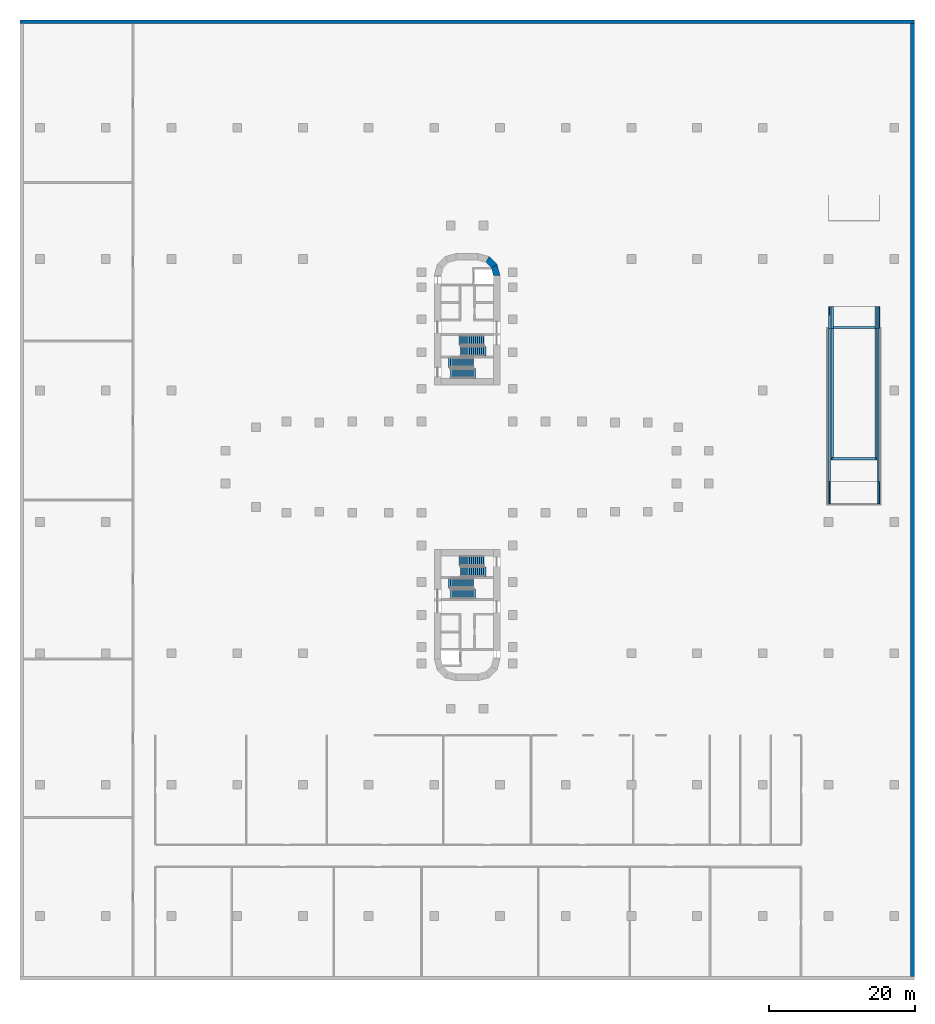
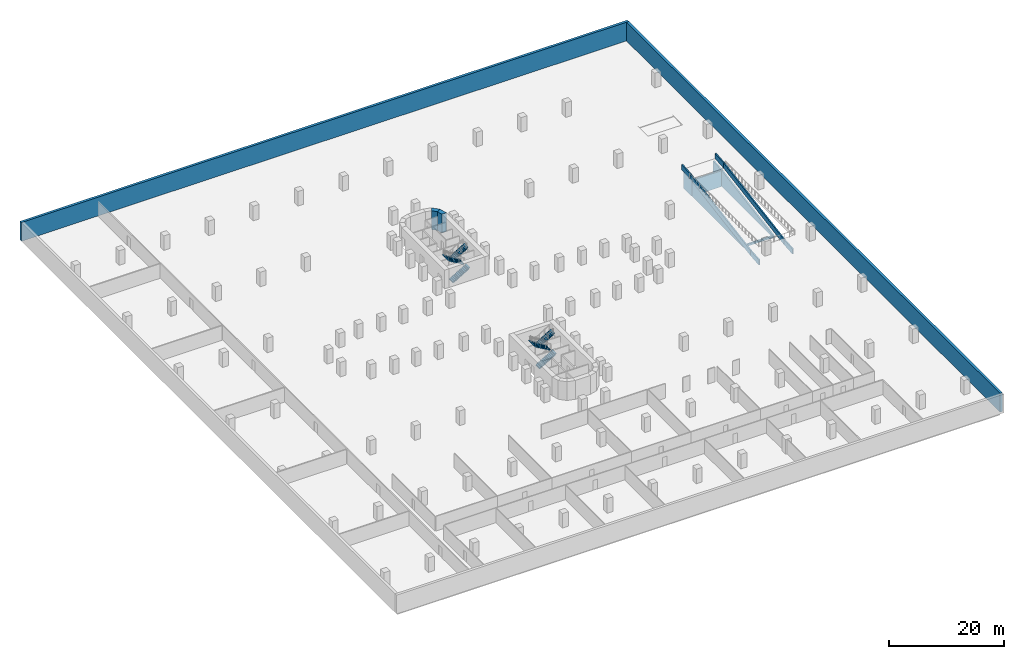
# One storey, part 10 of 11: 16 walls, 8 stair flights, 4 elements without a shape of their own.
"""IFC4 building model written with IfcOpenShell, lengths in metres."""

import ifcopenshell
import ifcopenshell.guid

model = None  # the IFC model being written
_history = None  # IfcOwnerHistory: only IFC2X3 demands one
_inside = {}  # id of a spatial element -> (the spatial element, [elements in it])
_under = {}  # id of a project, library or spatial element -> (it, [spatial elements below it])
_declared = {}  # id of a project -> (the project, [libraries it declares])
_typed = {}  # id of a type object -> (the type object, [elements of that type])
_made_of = {}  # id of a material, layer set ... -> (it, [elements and type objects made of it])


def new_model(schema):
    """Start an empty IFC model of exactly this schema.

    Asked for "IFC4X3", IfcOpenShell would pick the latest addendum, in which some entities
    have other attributes; the version numbers below select the first issue.
    IFC2X3 requires an IfcOwnerHistory on every rooted entity: one is made here for all.
    """
    global model, _history
    if schema == "IFC4X3":
        model = ifcopenshell.file(schema_version=(4, 3, 0, 0))
    else:
        model = ifcopenshell.file(schema=schema)
    _inside.clear()
    _under.clear()
    _declared.clear()
    _typed.clear()
    _made_of.clear()
    _history = None
    if model.schema == "IFC2X3":
        org = make("IfcOrganization", Name="unknown")
        user = make(
            "IfcPersonAndOrganization",
            ThePerson=make("IfcPerson", FamilyName="unknown"),
            TheOrganization=org,
        )
        app = make(
            "IfcApplication",
            ApplicationDeveloper=org,
            Version="unknown",
            ApplicationFullName="unknown",
            ApplicationIdentifier="unknown",
        )
        _history = make(
            "IfcOwnerHistory",
            OwningUser=user,
            OwningApplication=app,
            ChangeAction="ADDED",
            CreationDate=0,
        )
    return model


def make(cls, **values):
    """One entity of the class cls with the attributes given. An attribute that is None is left unset."""
    return model.create_entity(
        cls, **{name: value for name, value in values.items() if value is not None}
    )


def rooted(cls, **values):
    """An entity with a GlobalId (a new one), such as an element, a storey or a relation."""
    return make(cls, GlobalId=ifcopenshell.guid.new(), OwnerHistory=_history, **values)


def si_unit(unit_type, name, prefix=None):
    """IfcSIUnit, for example si_unit("LENGTHUNIT", "METRE", prefix="MILLI")."""
    return make("IfcSIUnit", UnitType=unit_type, Prefix=prefix, Name=name)


def assignment(units):
    """IfcUnitAssignment: the units of a project."""
    return None if units is None else make("IfcUnitAssignment", Units=units)


def point(xyz):
    """IfcCartesianPoint."""
    return None if xyz is None else make("IfcCartesianPoint", Coordinates=xyz)


def direction(xyz):
    """IfcDirection."""
    return None if xyz is None else make("IfcDirection", DirectionRatios=xyz)


def frame(location, z_axis=None, x_axis=None):
    """IfcAxis2Placement3D, a coordinate frame: its origin and axes. An axis left out is left unset."""
    return make(
        "IfcAxis2Placement3D",
        Location=point(location),
        Axis=direction(z_axis),
        RefDirection=direction(x_axis),
    )


def frame_2d(location, x_axis=None):
    """IfcAxis2Placement2D, a coordinate frame in the plane: its origin and x axis."""
    return make(
        "IfcAxis2Placement2D", Location=point(location), RefDirection=direction(x_axis)
    )


def origin():
    """The frame at (0, 0, 0) with its axes left unset."""
    return frame((0.0, 0.0, 0.0))


def place(relative_to, where):
    """IfcLocalPlacement: puts the frame where relative to a parent placement (None: the world)."""
    return make(
        "IfcLocalPlacement", PlacementRelTo=relative_to, RelativePlacement=where
    )


def context(
    kind, dimensions, precision=None, world=None, true_north=None, identifier=None
):
    """IfcGeometricRepresentationContext, for example the 3D "Model" context."""
    return make(
        "IfcGeometricRepresentationContext",
        ContextIdentifier=identifier,
        ContextType=kind,
        CoordinateSpaceDimension=dimensions,
        Precision=precision,
        WorldCoordinateSystem=world,
        TrueNorth=true_north,
    )


def subcontext(parent, identifier, kind, view, scale=None):
    """IfcGeometricRepresentationSubContext, for example "Body" below "Model"."""
    return make(
        "IfcGeometricRepresentationSubContext",
        ContextIdentifier=identifier,
        ContextType=kind,
        ParentContext=parent,
        TargetScale=scale,
        TargetView=view,
    )


def project(units=None, contexts=None):
    """IfcProject with its units and contexts."""
    return rooted(
        "IfcProject",
        Name="project",
        RepresentationContexts=contexts,
        UnitsInContext=assignment(units),
    )


def spatial(cls, under=None, at=None, **own):
    """A site, building, storey or space (cls), placed at a placement, below another one or the project."""
    s = rooted(cls, ObjectPlacement=at, **own)
    if under is not None:
        _under.setdefault(under.id(), (under, []))[1].append(s)
    return s


def polyline(points):
    """IfcPolyline through the points."""
    return make("IfcPolyline", Points=[point(p) for p in points])


def profile(cls, at=None, kind="AREA", **sizes):
    """A parametric profile (cls). Its sizes go by their IFC names, for example OverallWidth=200.0."""
    return make(cls, ProfileType=kind, Position=at, **sizes)


def rectangle(**sizes):
    """IfcRectangleProfileDef."""
    return profile("IfcRectangleProfileDef", **sizes)


def outline(outer, holes=None, kind="AREA"):
    """IfcArbitraryClosedProfileDef: a profile drawn as a closed curve; with holes, ...WithVoids."""
    if holes is None:
        return make("IfcArbitraryClosedProfileDef", ProfileType=kind, OuterCurve=outer)
    return make(
        "IfcArbitraryProfileDefWithVoids",
        ProfileType=kind,
        OuterCurve=outer,
        InnerCurves=holes,
    )


def extrude(swept, where, along, depth):
    """IfcExtrudedAreaSolid: the profile swept, set in the frame where, extruded along a direction by depth."""
    return make(
        "IfcExtrudedAreaSolid",
        SweptArea=swept,
        Position=where,
        ExtrudedDirection=direction(along),
        Depth=depth,
    )


def shape(context_of_items, identifier, shape_type, items):
    """IfcShapeRepresentation: the items that make up one representation, for example the "Body"."""
    return make(
        "IfcShapeRepresentation",
        ContextOfItems=context_of_items,
        RepresentationIdentifier=identifier,
        RepresentationType=shape_type,
        Items=items,
    )


def material(Name=None, Category=None):
    """IfcMaterial."""
    return make("IfcMaterial", Name=Name, Category=Category)


def layer(
    of_material, thickness, ventilated=None, Name=None, Category=None, Priority=None
):
    """IfcMaterialLayer: one layer of a wall or slab, of a material (None: an air gap)."""
    return make(
        "IfcMaterialLayer",
        Material=of_material,
        LayerThickness=thickness,
        IsVentilated=ventilated,
        Name=Name,
        Category=Category,
        Priority=Priority,
    )


def layer_set(layers, Name=None):
    """IfcMaterialLayerSet."""
    return make("IfcMaterialLayerSet", MaterialLayers=layers, LayerSetName=Name)


def made_of(thing, what):
    """Note that an element or type object is made of a material, layer set ...; save() writes the relation."""
    if what is not None:
        _made_of.setdefault(what.id(), (what, []))[1].append(thing)
    return thing


def type_object(cls, material=None, **own):
    """A type object (cls), such as IfcWallType, which elements share."""
    return made_of(rooted(cls, **own), material)


def element(
    cls,
    number,
    at=None,
    inside=None,
    cuts=None,
    type_object=None,
    material=None,
    context=None,
    identifier="Body",
    shape_type=None,
    held_by="IfcProductDefinitionShape",
    body=None,
    shapes=None,
    **own,
):
    """One element of the class cls, such as IfcWall. Its Tag is "e" and its number.

    at: its placement. inside: the storey or other place that contains it. cuts: it is an
    opening in that element (IfcRelVoidsElement). A single representation is given by context,
    identifier, shape_type and body (its items); several are given by shapes. held_by: the class
    of the entity that holds the representations. save() writes the other relations.
    """
    e = rooted(cls, Tag="e%d" % number, ObjectPlacement=at, **own)
    if body is not None:
        shapes = [shape(context, identifier, shape_type, body)]
    if shapes is not None:
        e.Representation = make(held_by, Representations=shapes)
    if inside is not None:
        _inside.setdefault(inside.id(), (inside, []))[1].append(e)
    if cuts is not None:
        rooted(
            "IfcRelVoidsElement", RelatingBuildingElement=cuts, RelatedOpeningElement=e
        )
    if type_object is not None:
        _typed.setdefault(type_object.id(), (type_object, []))[1].append(e)
    return made_of(e, material)


def aggregate(whole, parts):
    """IfcRelAggregates: a whole, such as a stair, and the parts it consists of."""
    return rooted("IfcRelAggregates", RelatingObject=whole, RelatedObjects=parts)


def save(model, path):
    """Write the relations noted so far, then the file.

    IfcRelAggregates (storeys below a building ...), IfcRelContainedInSpatialStructure (elements
    in a storey), IfcRelDefinesByType, IfcRelAssociatesMaterial and IfcRelDeclares: one each for
    every whole, place, type object, material and project.
    """
    for whole, parts in _under.values():
        aggregate(whole, parts)
    for where, things in _inside.values():
        rooted(
            "IfcRelContainedInSpatialStructure",
            RelatedElements=things,
            RelatingStructure=where,
        )
    for kind, things in _typed.values():
        rooted("IfcRelDefinesByType", RelatedObjects=things, RelatingType=kind)
    for what, things in _made_of.values():
        rooted("IfcRelAssociatesMaterial", RelatedObjects=things, RelatingMaterial=what)
    for by, libraries in _declared.values():
        rooted("IfcRelDeclares", RelatingContext=by, RelatedDefinitions=libraries)
    model.write(path)


model = new_model("IFC4")

# Units and contexts
model_context = context("Model", 3, precision=1e-05, world=origin(), true_north=direction((0.0, 1.0)))
body_context = subcontext(model_context, "Body", "Model", "MODEL_VIEW")
ifc_project = project(units=[si_unit("LENGTHUNIT", "METRE"), si_unit("AREAUNIT", "SQUARE_METRE"), si_unit("VOLUMEUNIT", "CUBIC_METRE"), si_unit("PLANEANGLEUNIT", "RADIAN"), si_unit("MASSUNIT", "GRAM", prefix="KILO")], contexts=[model_context])

# Site, building, storey
site_placement = place(None, origin())
site = spatial("IfcSite", under=ifc_project, at=site_placement, CompositionType="ELEMENT")
building_placement = place(site_placement, origin())
building = spatial("IfcBuilding", under=site, at=building_placement, Name="Zarbagh Exchange Tower", CompositionType="ELEMENT")
storey_placement = place(building_placement, frame((0.0, 0.0, -4.0)))
storey = spatial("IfcBuildingStorey", under=building, at=storey_placement, Name="B1", CompositionType="ELEMENT", Elevation=-4.0)

# Walls
ifc_material_1 = material(Name="Concrete C40/50", Category="concrete")
ifc_layer_1 = layer(ifc_material_1, 0.5)
ifc_layer_set_1 = layer_set([ifc_layer_1], Name="RC basement retaining wall 500 C40/50")
wall_type_1 = type_object("IfcWallType", Name="RC basement retaining wall 500 C40/50", PredefinedType="SOLIDWALL", material=ifc_layer_set_1)
wall_1_placement = place(storey_placement, frame((-61.25, 61.0, 0.0), z_axis=(0.0, 0.0, 1.0), x_axis=(1.0, 0.0, 0.0)))
element("IfcWall", 1, at=wall_1_placement, inside=storey, type_object=wall_type_1, Name="CW12 basement", PredefinedType="SOLIDWALL", context=body_context, shape_type="SweptSolid", body=[
    extrude(rectangle(XDim=122.5, YDim=0.5, at=frame_2d((61.25, 0.0))), origin(), (0.0, 0.0, 1.0), 4.0),
])
wall_2_placement = place(storey_placement, frame((61.0, -69.75, 0.0), z_axis=(0.0, 0.0, 1.0), x_axis=(0.0, 1.0, 0.0)))
element("IfcWall", 2, at=wall_2_placement, inside=storey, type_object=wall_type_1, Name="CW12 basement", PredefinedType="SOLIDWALL", context=body_context, shape_type="SweptSolid", body=[
    extrude(rectangle(XDim=130.5, YDim=0.5, at=frame_2d((65.25, 0.0))), origin(), (0.0, 0.0, 1.0), 4.0),
])
ifc_material_2 = material(Name="Concrete C60/75", Category="concrete")
ifc_layer_2 = layer(ifc_material_2, 0.89990234375)
ifc_layer_set_2 = layer_set([ifc_layer_2], Name="RC core corner wall 900 C60/75")
wall_type_2 = type_object("IfcWallType", Name="RC core corner wall 900 C60/75", PredefinedType="SHEAR", material=ifc_layer_set_2)
wall_3_placement = place(storey_placement, origin())
element("IfcWall", 3, at=wall_3_placement, inside=storey, type_object=wall_type_2, Name="CW2 core N corner E", PredefinedType="SHEAR", context=body_context, shape_type="SweptSolid", body=[
    extrude(outline(polyline([(4.5, 26.25), (4.09814453125, 27.75), (3.318603515625, 27.300048828125), (3.60009765625, 26.25), (4.5, 26.25)])), origin(), (0.0, 0.0, 1.0), 4.0),
])
wall_4_placement = place(storey_placement, origin())
element("IfcWall", 4, at=wall_4_placement, inside=storey, type_object=wall_type_2, Name="CW2 core N corner E", PredefinedType="SHEAR", context=body_context, shape_type="SweptSolid", body=[
    extrude(outline(polyline([(4.09814453125, 27.75), (3.0, 28.84814453125), (2.550048828125, 28.068603515625), (3.318603515625, 27.300048828125), (4.09814453125, 27.75)])), origin(), (0.0, 0.0, 1.0), 4.0),
])
ifc_layer_3 = layer(ifc_material_1, 0.25)
ifc_layer_set_3 = layer_set([ifc_layer_3], Name="Ramp parapet 250 C40/50")
wall_type_3 = type_object("IfcWallType", Name="Ramp parapet 250 C40/50", PredefinedType="PARAPET", material=ifc_layer_set_3)
for number, where, z_axis, x_axis, name in (
    (5, (49.625, 19.0, -0.25), (0.0, 0.0, 1.0), (0.0, 1.0, 0.0), "Ramp parapet R2 1W"),
    (6, (56.375, 19.0, -0.25), (0.0, 0.0, 1.0), (0.0, 1.0, 0.0), "Ramp parapet R2 1E"),
):
    element("IfcWall", number, at=place(storey_placement, frame(where, z_axis=z_axis, x_axis=x_axis)), inside=storey, type_object=wall_type_3, Name=name, PredefinedType="PARAPET", context=body_context, shape_type="SweptSolid", body=[
        extrude(outline(polyline([(0.0, 0.0), (3.0, 0.25), (3.0, 1.35009765625), (0.0, 1.10009765625), (0.0, 0.0)])), frame((0.0, 0.125, 0.0), z_axis=(0.0, -1.0, 0.0), x_axis=(1.0, 0.0, 0.0)), (0.0, 0.0, 1.0), 0.25),
    ])
for number, where, z_axis, x_axis, name in (
    (7, (49.625, -2.0, -3.75), (0.0, 0.0, 1.0), (0.0, 1.0, 0.0), "Ramp parapet R2 2W"),
    (8, (56.375, -2.0, -3.75), (0.0, 0.0, 1.0), (0.0, 1.0, 0.0), "Ramp parapet R2 2E"),
):
    element("IfcWall", number, at=place(storey_placement, frame(where, z_axis=z_axis, x_axis=x_axis)), inside=storey, type_object=wall_type_3, Name=name, PredefinedType="PARAPET", context=body_context, shape_type="SweptSolid", body=[
        extrude(outline(polyline([(0.0, 0.0), (21.0, 3.5), (21.0, 4.60009765625), (0.0, 1.10009765625), (0.0, 0.0)])), frame((0.0, 0.125, 0.0), z_axis=(0.0, -1.0, 0.0), x_axis=(1.0, 0.0, 0.0)), (0.0, 0.0, 1.0), 0.25),
    ])
for number, where, z_axis, x_axis, name in (
    (9, (49.625, -5.0, -4.0), (0.0, 0.0, 1.0), (0.0, 1.0, 0.0), "Ramp parapet R2 3W"),
    (10, (56.375, -5.0, -4.0), (0.0, 0.0, 1.0), (0.0, 1.0, 0.0), "Ramp parapet R2 3E"),
):
    element("IfcWall", number, at=place(storey_placement, frame(where, z_axis=z_axis, x_axis=x_axis)), inside=storey, type_object=wall_type_3, Name=name, PredefinedType="PARAPET", context=body_context, shape_type="SweptSolid", body=[
        extrude(outline(polyline([(0.0, 0.0), (3.0, 0.25), (3.0, 1.35009765625), (0.0, 1.10009765625), (0.0, 0.0)])), frame((0.0, 0.125, 0.0), z_axis=(0.0, -1.0, 0.0), x_axis=(1.0, 0.0, 0.0)), (0.0, 0.0, 1.0), 0.25),
    ])
ifc_layer_4 = layer(ifc_material_1, 0.300048828125)
ifc_layer_set_4 = layer_set([ifc_layer_4], Name="Ramp support wall 300 C40/50")
wall_type_4 = type_object("IfcWallType", Name="Ramp support wall 300 C40/50", PredefinedType="SOLIDWALL", material=ifc_layer_set_4)
for number, where, z_axis, x_axis, name in (
    (11, (50.0, 19.0, -4.0), (0.0, 0.0, 1.0), (0.0, 1.0, 0.0), "Ramp support wall R2 1W"),
    (12, (56.0, 19.0, -4.0), (0.0, 0.0, 1.0), (0.0, 1.0, 0.0), "Ramp support wall R2 1E"),
):
    element("IfcWall", number, at=place(storey_placement, frame(where, z_axis=z_axis, x_axis=x_axis)), inside=storey, type_object=wall_type_4, Name=name, PredefinedType="SOLIDWALL", context=body_context, shape_type="SweptSolid", body=[
        extrude(outline(polyline([(0.0, 0.0), (3.0, 0.0), (3.0, 3.64990234375), (0.0, 3.39990234375), (0.0, 0.0)])), frame((0.0, 0.14990234375, 0.0), z_axis=(0.0, -1.0, 0.0), x_axis=(1.0, 0.0, 0.0)), (0.0, 0.0, 1.0), 0.300048828125),
    ])
wall_5_placement = place(storey_placement, frame((50.0, 19.14990234375, -4.0), z_axis=(0.0, 0.0, 1.0), x_axis=(1.0, 0.0, 0.0)))
element("IfcWall", 13, at=wall_5_placement, inside=storey, type_object=wall_type_4, Name="Ramp support wall R2 1X", PredefinedType="SOLIDWALL", context=body_context, shape_type="SweptSolid", body=[
    extrude(rectangle(XDim=6.0, YDim=0.300048828125, at=frame_2d((3.0, 0.0))), origin(), (0.0, 0.0, 1.0), 3.39990234375),
])
for number, where, z_axis, x_axis, name in (
    (14, (50.0, 1.0, -4.0), (0.0, 0.0, 1.0), (0.0, 1.0, 0.0), "Ramp support wall R2 2W"),
    (15, (56.0, 1.0, -4.0), (0.0, 0.0, 1.0), (0.0, 1.0, 0.0), "Ramp support wall R2 2E"),
):
    element("IfcWall", number, at=place(storey_placement, frame(where, z_axis=z_axis, x_axis=x_axis)), inside=storey, type_object=wall_type_4, Name=name, PredefinedType="SOLIDWALL", context=body_context, shape_type="SweptSolid", body=[
        extrude(outline(polyline([(0.0, 0.0), (18.0, 0.0), (18.0, 3.39990234375), (0.0, 0.39990234375), (0.0, 0.0)])), frame((0.0, 0.14990234375, 0.0), z_axis=(0.0, -1.0, 0.0), x_axis=(1.0, 0.0, 0.0)), (0.0, 0.0, 1.0), 0.300048828125),
    ])
wall_6_placement = place(storey_placement, frame((50.0, 1.14990234375, -4.0), z_axis=(0.0, 0.0, 1.0), x_axis=(1.0, 0.0, 0.0)))
element("IfcWall", 16, at=wall_6_placement, inside=storey, type_object=wall_type_4, Name="Ramp support wall R2 2X", PredefinedType="SOLIDWALL", context=body_context, shape_type="SweptSolid", body=[
    extrude(rectangle(XDim=6.0, YDim=0.300048828125, at=frame_2d((3.0, 0.0))), origin(), (0.0, 0.0, 1.0), 0.39990234375),
])

# Stair, stair flights
stair_type = type_object("IfcStairType", Name="Exit stair two-flight half-turn", PredefinedType="HALF_TURN_STAIR", material=ifc_material_1)
stair_1_placement = place(storey_placement, origin())
stair_1 = element("IfcStair", 17, at=stair_1_placement, inside=storey, type_object=stair_type, Name="exit stair ST1", PredefinedType="HALF_TURN_STAIR")
stair_flight_type = type_object("IfcStairFlightType", Name="Stair flight 1350 mm", PredefinedType="STRAIGHT", material=ifc_material_1)
stair_flight_1_placement = place(storey_placement, frame((2.25, 17.375, 0.0), z_axis=(0.0, 0.0, 1.0), x_axis=(-1.0, 0.0, 0.0)))
stair_flight_1 = element("IfcStairFlight", 18, at=stair_flight_1_placement, type_object=stair_flight_type, Name="ST1 flight 1", NumberOfRisers=12, NumberOfTreads=11, PredefinedType="STRAIGHT", RiserHeight=0.166666667, TreadLength=0.28, context=body_context, shape_type="SweptSolid", body=[
    extrude(outline(polyline([(-0.050048828125, -0.050048828125), (-0.050048828125, 0.0), (0.0, 0.0), (0.0, 0.166748046875), (0.280029296875, 0.166748046875), (0.280029296875, 0.333251953125), (0.56005859375, 0.333251953125), (0.56005859375, 0.5), (0.840087890625, 0.5), (0.840087890625, 0.666748046875), (1.1201171875, 0.666748046875), (1.1201171875, 0.833251953125), (1.39990234375, 0.833251953125), (1.39990234375, 1.0), (1.679931640625, 1.0), (1.679931640625, 1.166748046875), (1.9599609375, 1.166748046875), (1.9599609375, 1.333251953125), (2.239990234375, 1.333251953125), (2.239990234375, 1.5), (2.52001953125, 1.5), (2.52001953125, 1.666748046875), (2.800048828125, 1.666748046875), (2.800048828125, 1.833251953125), (3.080078125, 1.833251953125), (3.080078125, 2.0), (3.3798828125, 2.080078125), (3.3798828125, 2.0), (3.080078125, 1.658935546875), (0.29296875, 0.0), (-0.050048828125, -0.050048828125)])), frame((0.0, 0.675048828125, 0.0), z_axis=(0.0, -1.0, 0.0), x_axis=(1.0, 0.0, 0.0)), (0.0, 0.0, 1.0), 1.35009765625),
])
stair_flight_2_placement = place(storey_placement, frame((-0.830078125, 15.875, 2.0), z_axis=(0.0, 0.0, 1.0), x_axis=(1.0, 0.0, 0.0)))
stair_flight_2 = element("IfcStairFlight", 19, at=stair_flight_2_placement, type_object=stair_flight_type, Name="ST1 flight 2", NumberOfRisers=12, NumberOfTreads=11, PredefinedType="STRAIGHT", RiserHeight=0.166666667, TreadLength=0.28, context=body_context, shape_type="SweptSolid", body=[
    extrude(outline(polyline([(-0.050048828125, -0.050048828125), (-0.050048828125, 0.0), (0.0, 0.0), (0.0, 0.166748046875), (0.280029296875, 0.166748046875), (0.280029296875, 0.333251953125), (0.56005859375, 0.333251953125), (0.56005859375, 0.5), (0.840087890625, 0.5), (0.840087890625, 0.666748046875), (1.1201171875, 0.666748046875), (1.1201171875, 0.833251953125), (1.39990234375, 0.833251953125), (1.39990234375, 1.0), (1.679931640625, 1.0), (1.679931640625, 1.166748046875), (1.9599609375, 1.166748046875), (1.9599609375, 1.333251953125), (2.239990234375, 1.333251953125), (2.239990234375, 1.5), (2.52001953125, 1.5), (2.52001953125, 1.666748046875), (2.800048828125, 1.666748046875), (2.800048828125, 1.833251953125), (3.080078125, 1.833251953125), (3.080078125, 2.0), (3.3798828125, 2.080078125), (3.3798828125, 2.0), (3.080078125, 1.658935546875), (0.29296875, 0.0), (-0.050048828125, -0.050048828125)])), frame((0.0, 0.675048828125, 0.0), z_axis=(0.0, -1.0, 0.0), x_axis=(1.0, 0.0, 0.0)), (0.0, 0.0, 1.0), 1.35009765625),
])
aggregate(stair_1, [stair_flight_1, stair_flight_2])

stair_2_placement = place(storey_placement, origin())
stair_2 = element("IfcStair", 20, at=stair_2_placement, inside=storey, type_object=stair_type, Name="exit stair ST2", PredefinedType="HALF_TURN_STAIR")
stair_flight_3_placement = place(storey_placement, frame((-2.25, 12.824951171875, 0.0), z_axis=(0.0, 0.0, 1.0), x_axis=(1.0, 0.0, 0.0)))
stair_flight_3 = element("IfcStairFlight", 21, at=stair_flight_3_placement, type_object=stair_flight_type, Name="ST2 flight 1", NumberOfRisers=12, NumberOfTreads=11, PredefinedType="STRAIGHT", RiserHeight=0.166666667, TreadLength=0.28, context=body_context, shape_type="SweptSolid", body=[
    extrude(outline(polyline([(-0.050048828125, -0.050048828125), (-0.050048828125, 0.0), (0.0, 0.0), (0.0, 0.166748046875), (0.280029296875, 0.166748046875), (0.280029296875, 0.333251953125), (0.56005859375, 0.333251953125), (0.56005859375, 0.5), (0.840087890625, 0.5), (0.840087890625, 0.666748046875), (1.1201171875, 0.666748046875), (1.1201171875, 0.833251953125), (1.39990234375, 0.833251953125), (1.39990234375, 1.0), (1.679931640625, 1.0), (1.679931640625, 1.166748046875), (1.9599609375, 1.166748046875), (1.9599609375, 1.333251953125), (2.239990234375, 1.333251953125), (2.239990234375, 1.5), (2.52001953125, 1.5), (2.52001953125, 1.666748046875), (2.800048828125, 1.666748046875), (2.800048828125, 1.833251953125), (3.080078125, 1.833251953125), (3.080078125, 2.0), (3.3798828125, 2.080078125), (3.3798828125, 2.0), (3.080078125, 1.658935546875), (0.29296875, 0.0), (-0.050048828125, -0.050048828125)])), frame((0.0, 0.675048828125, 0.0), z_axis=(0.0, -1.0, 0.0), x_axis=(1.0, 0.0, 0.0)), (0.0, 0.0, 1.0), 1.35009765625),
])
stair_flight_4_placement = place(storey_placement, frame((0.830078125, 14.324951171875, 2.0), z_axis=(0.0, 0.0, 1.0), x_axis=(-1.0, 0.0, 0.0)))
stair_flight_4 = element("IfcStairFlight", 22, at=stair_flight_4_placement, type_object=stair_flight_type, Name="ST2 flight 2", NumberOfRisers=12, NumberOfTreads=11, PredefinedType="STRAIGHT", RiserHeight=0.166666667, TreadLength=0.28, context=body_context, shape_type="SweptSolid", body=[
    extrude(outline(polyline([(-0.050048828125, -0.050048828125), (-0.050048828125, 0.0), (0.0, 0.0), (0.0, 0.166748046875), (0.280029296875, 0.166748046875), (0.280029296875, 0.333251953125), (0.56005859375, 0.333251953125), (0.56005859375, 0.5), (0.840087890625, 0.5), (0.840087890625, 0.666748046875), (1.1201171875, 0.666748046875), (1.1201171875, 0.833251953125), (1.39990234375, 0.833251953125), (1.39990234375, 1.0), (1.679931640625, 1.0), (1.679931640625, 1.166748046875), (1.9599609375, 1.166748046875), (1.9599609375, 1.333251953125), (2.239990234375, 1.333251953125), (2.239990234375, 1.5), (2.52001953125, 1.5), (2.52001953125, 1.666748046875), (2.800048828125, 1.666748046875), (2.800048828125, 1.833251953125), (3.080078125, 1.833251953125), (3.080078125, 2.0), (3.3798828125, 2.080078125), (3.3798828125, 2.0), (3.080078125, 1.658935546875), (0.29296875, 0.0), (-0.050048828125, -0.050048828125)])), frame((0.0, 0.675048828125, 0.0), z_axis=(0.0, -1.0, 0.0), x_axis=(1.0, 0.0, 0.0)), (0.0, 0.0, 1.0), 1.35009765625),
])
aggregate(stair_2, [stair_flight_3, stair_flight_4])

stair_3_placement = place(storey_placement, origin())
stair_3 = element("IfcStair", 23, at=stair_3_placement, inside=storey, type_object=stair_type, Name="exit stair ST3", PredefinedType="HALF_TURN_STAIR")
stair_flight_5_placement = place(storey_placement, frame((-2.25, -17.375, 0.0), z_axis=(0.0, 0.0, 1.0), x_axis=(1.0, 0.0, 0.0)))
stair_flight_5 = element("IfcStairFlight", 24, at=stair_flight_5_placement, type_object=stair_flight_type, Name="ST3 flight 1", NumberOfRisers=12, NumberOfTreads=11, PredefinedType="STRAIGHT", RiserHeight=0.166666667, TreadLength=0.28, context=body_context, shape_type="SweptSolid", body=[
    extrude(outline(polyline([(-0.050048828125, -0.050048828125), (-0.050048828125, 0.0), (0.0, 0.0), (0.0, 0.166748046875), (0.280029296875, 0.166748046875), (0.280029296875, 0.333251953125), (0.56005859375, 0.333251953125), (0.56005859375, 0.5), (0.840087890625, 0.5), (0.840087890625, 0.666748046875), (1.1201171875, 0.666748046875), (1.1201171875, 0.833251953125), (1.39990234375, 0.833251953125), (1.39990234375, 1.0), (1.679931640625, 1.0), (1.679931640625, 1.166748046875), (1.9599609375, 1.166748046875), (1.9599609375, 1.333251953125), (2.239990234375, 1.333251953125), (2.239990234375, 1.5), (2.52001953125, 1.5), (2.52001953125, 1.666748046875), (2.800048828125, 1.666748046875), (2.800048828125, 1.833251953125), (3.080078125, 1.833251953125), (3.080078125, 2.0), (3.3798828125, 2.080078125), (3.3798828125, 2.0), (3.080078125, 1.658935546875), (0.29296875, 0.0), (-0.050048828125, -0.050048828125)])), frame((0.0, 0.675048828125, 0.0), z_axis=(0.0, -1.0, 0.0), x_axis=(1.0, 0.0, 0.0)), (0.0, 0.0, 1.0), 1.35009765625),
])
stair_flight_6_placement = place(storey_placement, frame((0.830078125, -15.875, 2.0), z_axis=(0.0, 0.0, 1.0), x_axis=(-1.0, 0.0, 0.0)))
stair_flight_6 = element("IfcStairFlight", 25, at=stair_flight_6_placement, type_object=stair_flight_type, Name="ST3 flight 2", NumberOfRisers=12, NumberOfTreads=11, PredefinedType="STRAIGHT", RiserHeight=0.166666667, TreadLength=0.28, context=body_context, shape_type="SweptSolid", body=[
    extrude(outline(polyline([(-0.050048828125, -0.050048828125), (-0.050048828125, 0.0), (0.0, 0.0), (0.0, 0.166748046875), (0.280029296875, 0.166748046875), (0.280029296875, 0.333251953125), (0.56005859375, 0.333251953125), (0.56005859375, 0.5), (0.840087890625, 0.5), (0.840087890625, 0.666748046875), (1.1201171875, 0.666748046875), (1.1201171875, 0.833251953125), (1.39990234375, 0.833251953125), (1.39990234375, 1.0), (1.679931640625, 1.0), (1.679931640625, 1.166748046875), (1.9599609375, 1.166748046875), (1.9599609375, 1.333251953125), (2.239990234375, 1.333251953125), (2.239990234375, 1.5), (2.52001953125, 1.5), (2.52001953125, 1.666748046875), (2.800048828125, 1.666748046875), (2.800048828125, 1.833251953125), (3.080078125, 1.833251953125), (3.080078125, 2.0), (3.3798828125, 2.080078125), (3.3798828125, 2.0), (3.080078125, 1.658935546875), (0.29296875, 0.0), (-0.050048828125, -0.050048828125)])), frame((0.0, 0.675048828125, 0.0), z_axis=(0.0, -1.0, 0.0), x_axis=(1.0, 0.0, 0.0)), (0.0, 0.0, 1.0), 1.35009765625),
])
aggregate(stair_3, [stair_flight_5, stair_flight_6])

stair_4_placement = place(storey_placement, origin())
stair_4 = element("IfcStair", 26, at=stair_4_placement, inside=storey, type_object=stair_type, Name="exit stair ST4", PredefinedType="HALF_TURN_STAIR")
stair_flight_7_placement = place(storey_placement, frame((2.25, -12.824951171875, 0.0), z_axis=(0.0, 0.0, 1.0), x_axis=(-1.0, 0.0, 0.0)))
stair_flight_7 = element("IfcStairFlight", 27, at=stair_flight_7_placement, type_object=stair_flight_type, Name="ST4 flight 1", NumberOfRisers=12, NumberOfTreads=11, PredefinedType="STRAIGHT", RiserHeight=0.166666667, TreadLength=0.28, context=body_context, shape_type="SweptSolid", body=[
    extrude(outline(polyline([(-0.050048828125, -0.050048828125), (-0.050048828125, 0.0), (0.0, 0.0), (0.0, 0.166748046875), (0.280029296875, 0.166748046875), (0.280029296875, 0.333251953125), (0.56005859375, 0.333251953125), (0.56005859375, 0.5), (0.840087890625, 0.5), (0.840087890625, 0.666748046875), (1.1201171875, 0.666748046875), (1.1201171875, 0.833251953125), (1.39990234375, 0.833251953125), (1.39990234375, 1.0), (1.679931640625, 1.0), (1.679931640625, 1.166748046875), (1.9599609375, 1.166748046875), (1.9599609375, 1.333251953125), (2.239990234375, 1.333251953125), (2.239990234375, 1.5), (2.52001953125, 1.5), (2.52001953125, 1.666748046875), (2.800048828125, 1.666748046875), (2.800048828125, 1.833251953125), (3.080078125, 1.833251953125), (3.080078125, 2.0), (3.3798828125, 2.080078125), (3.3798828125, 2.0), (3.080078125, 1.658935546875), (0.29296875, 0.0), (-0.050048828125, -0.050048828125)])), frame((0.0, 0.675048828125, 0.0), z_axis=(0.0, -1.0, 0.0), x_axis=(1.0, 0.0, 0.0)), (0.0, 0.0, 1.0), 1.35009765625),
])
stair_flight_8_placement = place(storey_placement, frame((-0.830078125, -14.324951171875, 2.0), z_axis=(0.0, 0.0, 1.0), x_axis=(1.0, 0.0, 0.0)))
stair_flight_8 = element("IfcStairFlight", 28, at=stair_flight_8_placement, type_object=stair_flight_type, Name="ST4 flight 2", NumberOfRisers=12, NumberOfTreads=11, PredefinedType="STRAIGHT", RiserHeight=0.166666667, TreadLength=0.28, context=body_context, shape_type="SweptSolid", body=[
    extrude(outline(polyline([(-0.050048828125, -0.050048828125), (-0.050048828125, 0.0), (0.0, 0.0), (0.0, 0.166748046875), (0.280029296875, 0.166748046875), (0.280029296875, 0.333251953125), (0.56005859375, 0.333251953125), (0.56005859375, 0.5), (0.840087890625, 0.5), (0.840087890625, 0.666748046875), (1.1201171875, 0.666748046875), (1.1201171875, 0.833251953125), (1.39990234375, 0.833251953125), (1.39990234375, 1.0), (1.679931640625, 1.0), (1.679931640625, 1.166748046875), (1.9599609375, 1.166748046875), (1.9599609375, 1.333251953125), (2.239990234375, 1.333251953125), (2.239990234375, 1.5), (2.52001953125, 1.5), (2.52001953125, 1.666748046875), (2.800048828125, 1.666748046875), (2.800048828125, 1.833251953125), (3.080078125, 1.833251953125), (3.080078125, 2.0), (3.3798828125, 2.080078125), (3.3798828125, 2.0), (3.080078125, 1.658935546875), (0.29296875, 0.0), (-0.050048828125, -0.050048828125)])), frame((0.0, 0.675048828125, 0.0), z_axis=(0.0, -1.0, 0.0), x_axis=(1.0, 0.0, 0.0)), (0.0, 0.0, 1.0), 1.35009765625),
])
aggregate(stair_4, [stair_flight_7, stair_flight_8])

save(model, "model.ifc")
